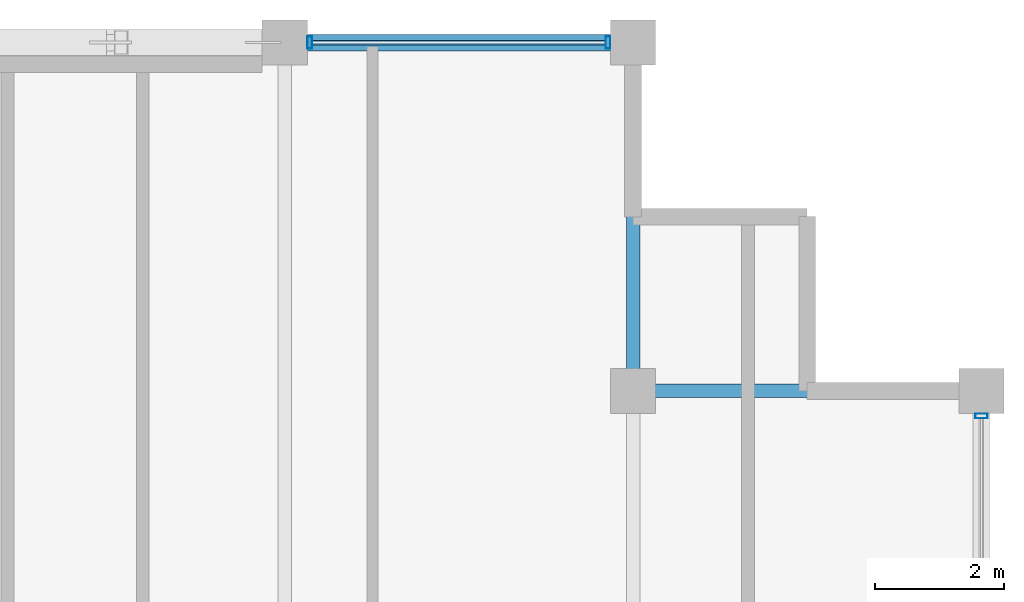
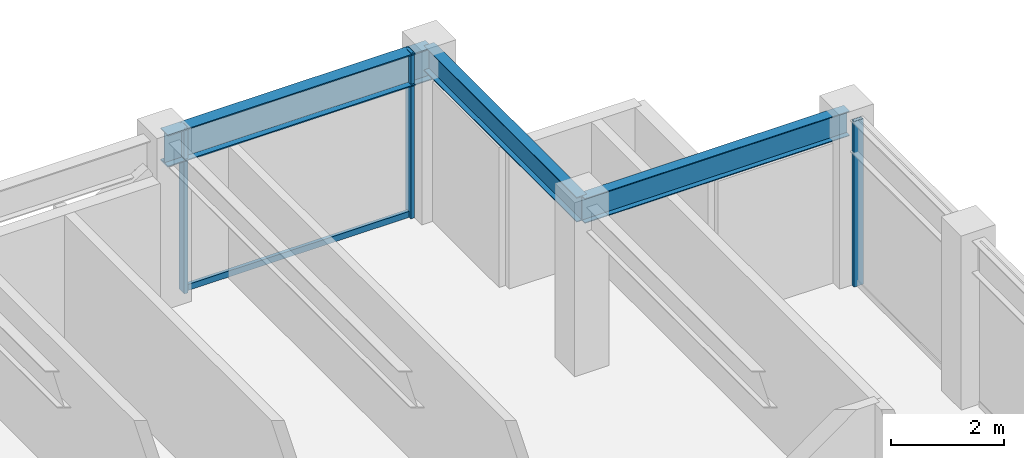
# One storey, part 22 of 30: 4 members, 3 beams, 2 elements without a shape of their own.
"""IFC4 building model written with IfcOpenShell, lengths in metres."""

from ifc_helpers import new_model, si_unit, direction, frame, origin, origin_2d, place, context, subcontext, project, spatial, hollow_rectangle, i_section, extrude, material, layer, layer_set, material_profile, profile_set, type_object, element, aggregate, save


model = new_model("IFC4")

# Units and contexts
model_context = context("Model", 3, precision=1e-05, world=origin(), true_north=direction((0.0, 1.0)))
body_context = subcontext(model_context, "Body", "Model", "MODEL_VIEW")
ifc_project = project(units=[si_unit("LENGTHUNIT", "METRE"), si_unit("AREAUNIT", "SQUARE_METRE"), si_unit("VOLUMEUNIT", "CUBIC_METRE"), si_unit("PLANEANGLEUNIT", "RADIAN"), si_unit("MASSUNIT", "GRAM", prefix="KILO")], contexts=[model_context])

# Site, building, storey
site_placement = place(None, origin())
site = spatial("IfcSite", under=ifc_project, at=site_placement, CompositionType="ELEMENT")
building_placement = place(site_placement, origin())
building = spatial("IfcBuilding", under=site, at=building_placement, Name="Surkhivell Harbour Commons", CompositionType="ELEMENT")
storey_placement = place(building_placement, frame((0.0, 0.0, 292.5)))
storey = spatial("IfcBuildingStorey", under=building, at=storey_placement, Name="L76", CompositionType="ELEMENT", Elevation=292.5)

# Beams
ifc_material_1 = material(Name="Steel S355", Category="steel")
ifc_material_profile_1 = material_profile(ifc_material_1, i_section(OverallWidth=0.2099609375, OverallDepth=0.537109375, WebThickness=0.0107421875, FlangeThickness=0.017333984375, at=origin_2d()), Name="UB533x210x101")
ifc_profile_set_1 = profile_set([ifc_material_profile_1], Name="Steel S355")
beam_type_1 = type_object("IfcBeamType", Name="BM-GRD-533B", PredefinedType="BEAM", material=ifc_profile_set_1)
for number, where, z_axis, x_axis, name in (
    (1, (10.800048828125, 20.5, 3.301513671875), (0.0, 1.0, 0.0), (-1.0, 0.0, 0.0), "L76 Floor Girder (10.8,20.5)"),
    (2, (10.800048828125, 20.5, 3.301513671875), (1.0, 0.0, 0.0), (0.0, 1.0, 0.0), "L76 Floor Girder (10.8,20.5)"),
):
    element("IfcBeam", number, at=place(storey_placement, frame(where, z_axis=z_axis, x_axis=x_axis)), inside=storey, type_object=beam_type_1, Name=name, PredefinedType="BEAM", context=body_context, shape_type="SweptSolid", body=[
        extrude(i_section(OverallWidth=0.2099609375, OverallDepth=0.537109375, WebThickness=0.0107421875, FlangeThickness=0.017333984375, at=origin_2d()), origin(), (0.0, 0.0, 1.0), 5.39990234375),
    ])
ifc_material_profile_2 = material_profile(ifc_material_1, i_section(OverallWidth=0.256103515625, OverallDepth=0.693115234375, WebThickness=0.014404296875, FlangeThickness=0.023681640625, at=origin_2d()), Name="UB686x254x170")
ifc_profile_set_2 = profile_set([ifc_material_profile_2], Name="Steel S355")
beam_type_2 = type_object("IfcBeamType", Name="BM-SPN-686", PredefinedType="SPANDREL", material=ifc_profile_set_2)
beam_placement = place(storey_placement, frame((5.39990234375, 25.89990234375, 3.223388671875), z_axis=(1.0, 0.0, 0.0), x_axis=(0.0, 1.0, 0.0)))
element("IfcBeam", 3, at=beam_placement, inside=storey, type_object=beam_type_2, Name="L76 Tube Spandrel (5.4,25.9)", PredefinedType="SPANDREL", context=body_context, shape_type="SweptSolid", body=[
    extrude(i_section(OverallWidth=0.256103515625, OverallDepth=0.693115234375, WebThickness=0.014404296875, FlangeThickness=0.023681640625, at=origin_2d()), origin(), (0.0, 0.0, 1.0), 5.400146484375),
])

# Curtain wall, member
ifc_material_2 = material(Name="Anodised pale-metal aluminium and insulated glazing", Category="aluminium")
ifc_layer = layer(ifc_material_2, 0.175048828125)
ifc_layer_set = layer_set([ifc_layer], Name="Anodised pale-metal aluminium and insulated glazing")
curtain_wall_type = type_object("IfcCurtainWallType", Name="CW-SYS-Z4", PredefinedType="NOTDEFINED", material=ifc_layer_set)
curtain_wall_1_placement = place(storey_placement, origin())
curtain_wall_1 = element("IfcCurtainWall", 4, at=curtain_wall_1_placement, inside=storey, type_object=curtain_wall_type, Name="L76 Curtain Wall CW-L76-E02", PredefinedType="NOTDEFINED")
ifc_material_3 = material(Name="Anodised pale-metal aluminium alloy 6063-T6", Category="aluminium")
ifc_material_profile_3 = material_profile(ifc_material_3, hollow_rectangle(XDim=0.074951171875, YDim=0.18994140625, WallThickness=0.00390625, at=origin_2d()), Name="ALU-MULL-75x190")
ifc_profile_set_3 = profile_set([ifc_material_profile_3], Name="Anodised pale-metal aluminium alloy 6063-T6")
member_type_1 = type_object("IfcMemberType", Name="CWM-190", PredefinedType="MULLION", material=ifc_profile_set_3)
member_1_placement = place(storey_placement, frame((16.199951171875, 20.110595703125, 0.0), z_axis=(0.0, 0.0, 1.0), x_axis=(0.0, 1.0, 0.0)))
member_1 = element("IfcMember", 5, at=member_1_placement, type_object=member_type_1, Name="CW-Z4 mullion 6", PredefinedType="MULLION", context=body_context, shape_type="SweptSolid", body=[
    extrude(hollow_rectangle(XDim=0.074951171875, YDim=0.18994140625, WallThickness=0.00390625, at=origin_2d()), origin(), (0.0, 0.0, 1.0), 3.570068359375),
])
aggregate(curtain_wall_1, [member_1])

# Curtain wall, members
curtain_wall_2_placement = place(storey_placement, origin())
curtain_wall_2 = element("IfcCurtainWall", 6, at=curtain_wall_2_placement, inside=storey, type_object=curtain_wall_type, Name="L76 Curtain Wall CW-L76-E07S1", PredefinedType="NOTDEFINED")
member_2_placement = place(storey_placement, frame((10.410400390625, 25.89990234375, 0.0), z_axis=(0.0, 0.0, 1.0), x_axis=(-1.0, 0.0, 0.0)))
member_2 = element("IfcMember", 7, at=member_2_placement, type_object=member_type_1, Name="CW-Z4 mullion 1", PredefinedType="MULLION", context=body_context, shape_type="SweptSolid", body=[
    extrude(hollow_rectangle(XDim=0.074951171875, YDim=0.18994140625, WallThickness=0.00390625, at=origin_2d()), origin(), (0.0, 0.0, 1.0), 3.570068359375),
])
member_3_placement = place(storey_placement, frame((5.78955078125, 25.89990234375, 0.0), z_axis=(0.0, 0.0, 1.0), x_axis=(-1.0, 0.0, 0.0)))
member_3 = element("IfcMember", 8, at=member_3_placement, type_object=member_type_1, Name="CW-Z4 mullion 2", PredefinedType="MULLION", context=body_context, shape_type="SweptSolid", body=[
    extrude(hollow_rectangle(XDim=0.074951171875, YDim=0.18994140625, WallThickness=0.00390625, at=origin_2d()), origin(), (0.0, 0.0, 1.0), 3.570068359375),
])
ifc_material_4 = material(Name="Champagne anodised aluminium alloy 6063-T6", Category="aluminium")
ifc_material_profile_4 = material_profile(ifc_material_4, hollow_rectangle(XDim=0.070068359375, YDim=0.1298828125, WallThickness=0.00341796875, at=origin_2d()), Name="ALU-TRAN-70x130")
ifc_profile_set_4 = profile_set([ifc_material_profile_4], Name="Champagne anodised aluminium alloy 6063-T6")
member_type_2 = type_object("IfcMemberType", Name="CWT-130", PredefinedType="USERDEFINED", material=ifc_profile_set_4)
member_4_placement = place(storey_placement, frame((10.373046875, 25.89990234375, 0.06494140625), z_axis=(-1.0, 0.0, 0.0), x_axis=(0.0, -1.0, 0.0)))
member_4 = element("IfcMember", 9, at=member_4_placement, type_object=member_type_2, Name="CW-Z4 transom 1.1", ObjectType="TRANSOM", PredefinedType="USERDEFINED", context=body_context, shape_type="SweptSolid", body=[
    extrude(hollow_rectangle(XDim=0.070068359375, YDim=0.1298828125, WallThickness=0.00341796875, at=origin_2d()), origin(), (0.0, 0.0, 1.0), 4.546142578125),
])
aggregate(curtain_wall_2, [member_2, member_3, member_4])

save(model, "model.ifc")
